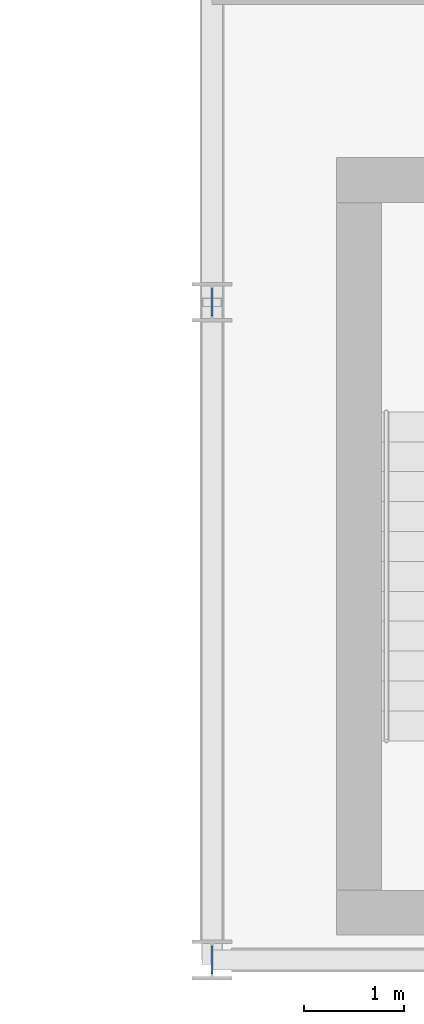
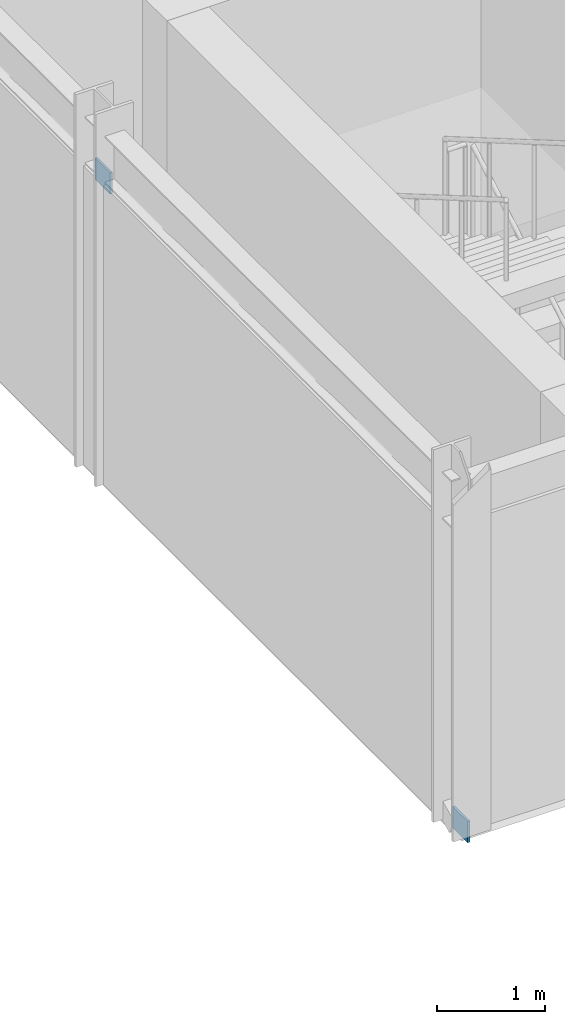
# One storey, part 130 of 157: 2 plates.
"""IFC4 building model written with IfcOpenShell, lengths in metres."""

from ifc_helpers import new_model, si_unit, direction, frame, origin, origin_2d, place, context, subcontext, project, spatial, rectangle, extrude, material, layer, layer_set, type_object, element, save


model = new_model("IFC4")

# Units and contexts
model_context = context("Model", 3, precision=1e-05, world=origin(), true_north=direction((0.0, 1.0)))
body_context = subcontext(model_context, "Body", "Model", "MODEL_VIEW")
ifc_project = project(units=[si_unit("LENGTHUNIT", "METRE"), si_unit("AREAUNIT", "SQUARE_METRE"), si_unit("VOLUMEUNIT", "CUBIC_METRE"), si_unit("PLANEANGLEUNIT", "RADIAN"), si_unit("MASSUNIT", "GRAM", prefix="KILO")], contexts=[model_context])

# Site, building, storey
site_placement = place(None, origin())
site = spatial("IfcSite", under=ifc_project, at=site_placement, CompositionType="ELEMENT")
building_placement = place(site_placement, origin())
building = spatial("IfcBuilding", under=site, at=building_placement, Name="Karori Crest Natural Sciences Institute", CompositionType="ELEMENT")
storey_placement = place(building_placement, frame((0.0, 0.0, 13.300048828125)))
storey = spatial("IfcBuildingStorey", under=building, at=storey_placement, Name="L03", CompositionType="ELEMENT", Elevation=13.300048828125)

# Plates
ifc_material = material(Name="Structural steel AS/NZS 3679.1 Grade 350", Category="steel")
ifc_layer = layer(ifc_material, 0.02490234375, Name="Structural steel AS/NZS 3679.1 Grade 350")
ifc_layer_set = layer_set([ifc_layer], Name="Structural steel AS/NZS 3679.1 Grade 350")
plate_type = type_object("IfcPlateType", Name="PLT-06-EL", PredefinedType="SHEET", material=ifc_layer_set)
for number, where, z_axis, x_axis, name in (
    (1, (103.60009765625, 0.800048828125, -0.10986328125), (0.0, 0.0, 1.0), (0.0, 1.0, 0.0), "Brace gusset plate EP-0400"),
    (2, (103.60009765625, 7.39990234375, 3.19775390625), (0.0, 0.0, 1.0), (0.0, 1.0, 0.0), "Brace gusset plate EP-0401"),
):
    element("IfcPlate", number, at=place(storey_placement, frame(where, z_axis=z_axis, x_axis=x_axis)), inside=storey, type_object=plate_type, Name=name, PredefinedType="SHEET", context=body_context, shape_type="SweptSolid", body=[
        extrude(rectangle(XDim=0.280029296875, YDim=0.02490234375, at=origin_2d()), origin(), (0.0, 0.0, 1.0), 0.239990234375),
    ])

save(model, "model.ifc")
